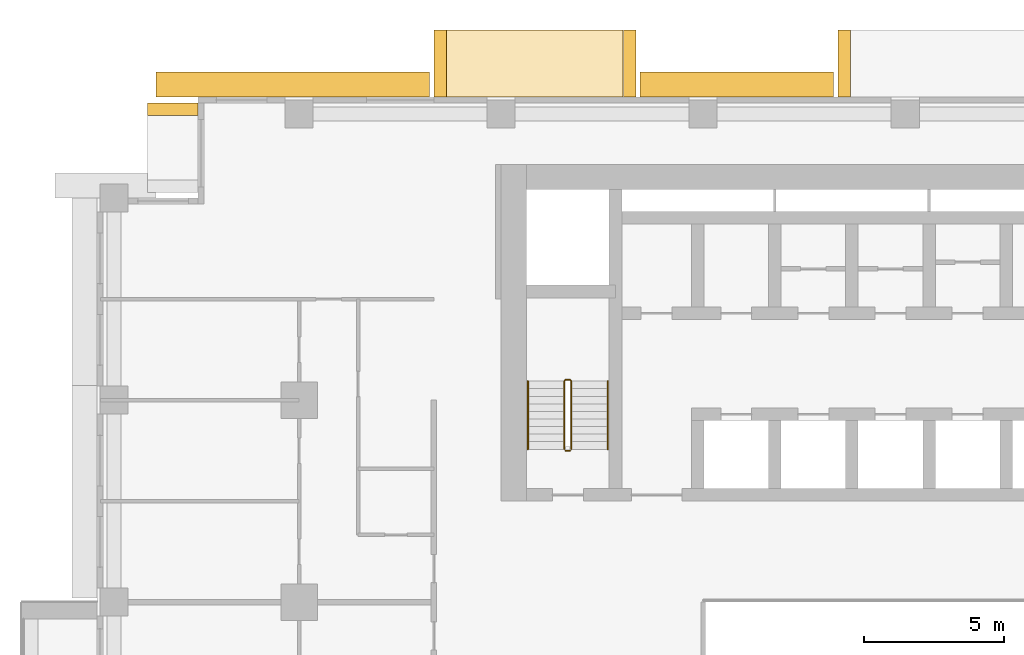
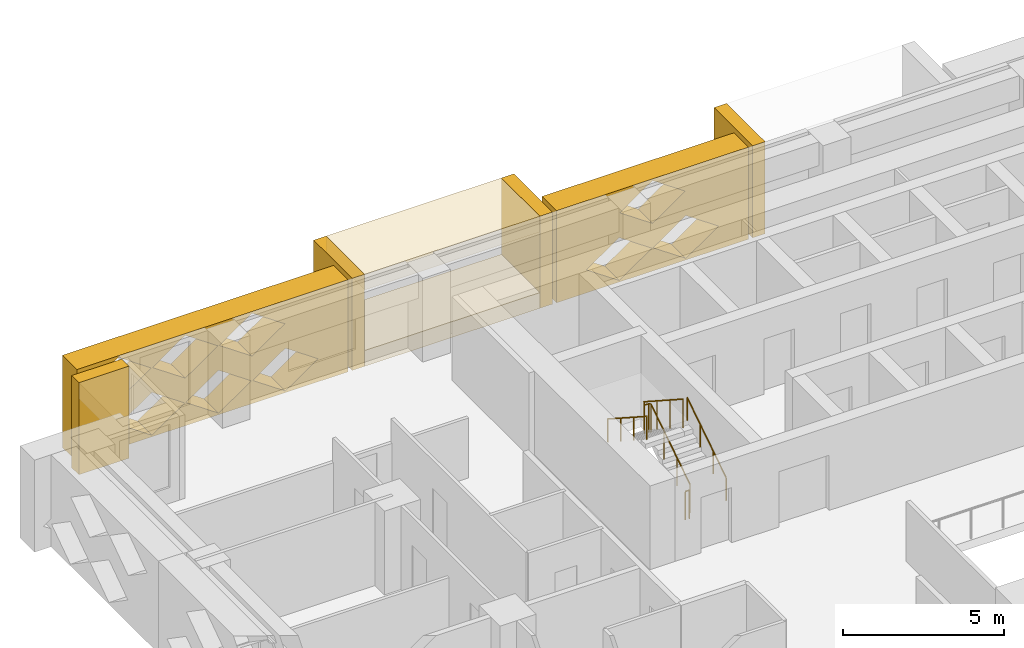
# One storey, part 14 of 16: 8 coverings, 4 railings.
"""IFC4 building model written with IfcOpenShell, lengths in metres."""

from ifc_helpers import new_model, si_unit, direction, frame, origin, origin_2d, place, context, subcontext, project, spatial, polyline, circle, outline, extrude, material, type_object, element, save


model = new_model("IFC4")

# Units and contexts
model_context = context("Model", 3, precision=1e-05, world=origin(), true_north=direction((0.0, 1.0)))
body_context = subcontext(model_context, "Body", "Model", "MODEL_VIEW")
ifc_project = project(units=[si_unit("LENGTHUNIT", "METRE"), si_unit("AREAUNIT", "SQUARE_METRE"), si_unit("VOLUMEUNIT", "CUBIC_METRE"), si_unit("PLANEANGLEUNIT", "RADIAN"), si_unit("MASSUNIT", "GRAM", prefix="KILO")], contexts=[model_context])

# Site, building, storey
site_placement = place(None, origin())
site = spatial("IfcSite", under=ifc_project, at=site_placement, CompositionType="ELEMENT")
building_placement = place(site_placement, origin())
building = spatial("IfcBuilding", under=site, at=building_placement, Name="Saffron Iwan Residences", CompositionType="ELEMENT")
storey_placement = place(building_placement, frame((0.0, 0.0, 69.0)))
storey = spatial("IfcBuildingStorey", under=building, at=storey_placement, Name="L17", CompositionType="ELEMENT", Elevation=69.0)

# Coverings
ifc_material_1 = material(Name="Precast concrete C40/50", Category="concrete")
covering_type_1 = type_object("IfcCoveringType", Name="OUTER SKIN LATTICE SCREEN", PredefinedType="CLADDING", material=ifc_material_1)
covering_1_placement = place(storey_placement, frame((40.64990234375, 80.39990234375, -0.320068359375), z_axis=(0.0, 1.0, 0.0), x_axis=(-1.0, 0.0, 0.0)))
element("IfcCovering", 1, at=covering_1_placement, inside=storey, type_object=covering_type_1, Name="OUTER SKIN lattice screen L17 F5.3", PredefinedType="CLADDING", context=body_context, shape_type="SweptSolid", body=[
    extrude(outline(polyline([(0.0, 0.0), (6.89990234375, 0.0), (6.89990234375, 3.5), (0.0, 3.5), (0.0, 0.0)]), holes=[polyline([(1.070068359375, 0.875), (2.25, 0.06005859375), (3.429931640625, 0.875), (2.25, 1.68994140625), (1.070068359375, 0.875)]), polyline([(3.469970703125, 0.875), (4.64990234375, 0.06005859375), (5.830078125, 0.875), (4.64990234375, 1.68994140625), (3.469970703125, 0.875)]), polyline([(2.27001953125, 2.625), (3.449951171875, 1.81005859375), (4.6298828125, 2.625), (3.449951171875, 3.43994140625), (2.27001953125, 2.625)])]), origin(), (0.0, 0.0, 1.0), 0.900146484375),
])
covering_2_placement = place(storey_placement, frame((26.25, 80.39990234375, -0.320068359375), z_axis=(0.0, 1.0, 0.0), x_axis=(-1.0, 0.0, 0.0)))
element("IfcCovering", 2, at=covering_2_placement, inside=storey, type_object=covering_type_1, Name="OUTER SKIN lattice screen L17 F5.4", PredefinedType="CLADDING", context=body_context, shape_type="SweptSolid", body=[
    extrude(outline(polyline([(0.0, 0.0), (9.75, 0.0), (9.75, 3.5), (0.0, 3.5), (0.0, 0.0)]), holes=[polyline([(1.070068359375, 0.875), (2.25, 0.06005859375), (3.429931640625, 0.875), (2.25, 1.68994140625), (1.070068359375, 0.875)]), polyline([(3.469970703125, 0.875), (4.64990234375, 0.06005859375), (5.830078125, 0.875), (4.64990234375, 1.68994140625), (3.469970703125, 0.875)]), polyline([(5.8701171875, 0.875), (7.050048828125, 0.06005859375), (8.22998046875, 0.875), (7.050048828125, 1.68994140625), (5.8701171875, 0.875)]), polyline([(2.27001953125, 2.625), (3.449951171875, 1.81005859375), (4.6298828125, 2.625), (3.449951171875, 3.43994140625), (2.27001953125, 2.625)]), polyline([(4.669921875, 2.625), (5.85009765625, 1.81005859375), (7.030029296875, 2.625), (5.85009765625, 3.43994140625), (4.669921875, 2.625)]), polyline([(7.070068359375, 2.625), (8.25, 1.81005859375), (9.429931640625, 2.625), (8.25, 3.43994140625), (7.070068359375, 2.625)])]), origin(), (0.0, 0.0, 1.0), 0.900146484375),
])

# Railings
ifc_material_2 = material(Name="Steel S355", Category="steel")
railing_type_1 = type_object("IfcRailingType", Name="Stair guard 1100", PredefinedType="GUARDRAIL", material=ifc_material_2)
railing_1_placement = place(storey_placement, frame((31.300048828125, 67.85009765625, 0.175048828125)))
element("IfcRailing", 3, at=railing_1_placement, inside=storey, type_object=railing_type_1, Name="L17 ST-W stair guard 1", PredefinedType="GUARDRAIL", context=body_context, shape_type="SweptSolid", body=[
    extrude(circle(Radius=0.02392578125, at=origin_2d()), frame((0.0, 0.0, 1.076171875), z_axis=(0.0, 0.839153699163, 0.543894354798), x_axis=(-1.0, 0.0, 0.0)), (0.0, 0.0, 1.0), 2.895751953125),
    extrude(circle(Radius=0.02392578125, at=origin_2d()), frame((0.0, 2.429931640625, 2.65087890625), z_axis=(-0.707106781187, 0.707106781187, 0.0), x_axis=(-0.707106781187, -0.707106781187, 0.0)), (0.0, 0.0, 1.0), 0.07080078125),
    extrude(circle(Radius=0.02392578125, at=origin_2d()), frame((-0.050048828125, 2.47998046875, 2.65087890625), z_axis=(-1.0, 0.0, 0.0), x_axis=(0.0, -1.0, 0.0)), (0.0, 0.0, 1.0), 0.14990234375),
    extrude(circle(Radius=0.02392578125, at=origin_2d()), frame((-0.199951171875, 2.47998046875, 2.65087890625), z_axis=(-0.265065253269, -0.265065253269, 0.927081885822), x_axis=(0.707106781187, -0.707106781187, 0.0)), (0.0, 0.0, 1.0), 0.188720703125),
    extrude(circle(Radius=0.02392578125, at=origin_2d()), frame((-0.25, 2.429931640625, 2.826171875), z_axis=(0.0, -0.839153699163, 0.543894354798), x_axis=(1.0, 0.0, 0.0)), (0.0, 0.0, 1.0), 2.895751953125),
    extrude(circle(Radius=0.02099609375, at=origin_2d()), origin(), (0.0, 0.0, 1.0), 1.052001953125),
    extrude(circle(Radius=0.02099609375, at=origin_2d()), frame((0.0, 0.81005859375, 0.52490234375)), (0.0, 0.0, 1.0), 1.052001953125),
    extrude(circle(Radius=0.02099609375, at=origin_2d()), frame((0.0, 1.619873046875, 1.050048828125)), (0.0, 0.0, 1.0), 1.052001953125),
    extrude(circle(Radius=0.02099609375, at=origin_2d()), frame((0.0, 2.429931640625, 1.574951171875)), (0.0, 0.0, 1.0), 1.052001953125),
    extrude(circle(Radius=0.02099609375, at=origin_2d()), frame((-0.050048828125, 2.47998046875, 1.574951171875)), (0.0, 0.0, 1.0), 1.052001953125),
    extrude(circle(Radius=0.02099609375, at=origin_2d()), frame((-0.199951171875, 2.47998046875, 1.574951171875)), (0.0, 0.0, 1.0), 1.052001953125),
    extrude(circle(Radius=0.02099609375, at=origin_2d()), frame((-0.25, 2.429931640625, 1.75)), (0.0, 0.0, 1.0), 1.052001953125),
    extrude(circle(Radius=0.02099609375, at=origin_2d()), frame((-0.25, 1.619873046875, 2.27490234375)), (0.0, 0.0, 1.0), 1.052001953125),
    extrude(circle(Radius=0.02099609375, at=origin_2d()), frame((-0.25, 0.81005859375, 2.800048828125)), (0.0, 0.0, 1.0), 1.052001953125),
    extrude(circle(Radius=0.02099609375, at=origin_2d()), frame((-0.25, 0.0, 3.324951171875)), (0.0, 0.0, 1.0), 1.052001953125),
])
railing_2_placement = place(storey_placement, frame((31.25, 67.800048828125, 0.0)))
element("IfcRailing", 4, at=railing_2_placement, inside=storey, type_object=railing_type_1, Name="L17 ST-W stair guard 2", PredefinedType="GUARDRAIL", context=body_context, shape_type="SweptSolid", body=[
    extrude(circle(Radius=0.02392578125, at=origin_2d()), frame((0.0, 0.0, 1.076171875), z_axis=(-1.0, 0.0, 0.0), x_axis=(0.0, -1.0, 0.0)), (0.0, 0.0, 1.0), 0.14990234375),
    extrude(circle(Radius=0.02099609375, at=origin_2d()), origin(), (0.0, 0.0, 1.0), 1.052001953125),
    extrude(circle(Radius=0.02099609375, at=origin_2d()), frame((-0.14990234375, 0.0, 0.0)), (0.0, 0.0, 1.0), 1.052001953125),
])
ifc_material_3 = material(Name="Stainless steel 316", Category="steel")
railing_type_2 = type_object("IfcRailingType", Name="Stair handrail 900", PredefinedType="HANDRAIL", material=ifc_material_3)
railing_3_placement = place(storey_placement, frame((32.60009765625, 67.85009765625, 0.175048828125)))
element("IfcRailing", 5, at=railing_3_placement, inside=storey, type_object=railing_type_2, Name="L17 ST-W stair handrail 1", PredefinedType="HANDRAIL", context=body_context, shape_type="SweptSolid", body=[
    extrude(circle(Radius=0.02392578125, at=origin_2d()), frame((0.0, 0.0, 0.8759765625), z_axis=(0.0, 0.839153699163, 0.543894354798), x_axis=(-1.0, 0.0, 0.0)), (0.0, 0.0, 1.0), 2.895751953125),
    extrude(circle(Radius=0.02099609375, at=origin_2d()), origin(), (0.0, 0.0, 1.0), 0.851806640625),
    extrude(circle(Radius=0.02099609375, at=origin_2d()), frame((0.0, 0.81005859375, 0.52490234375)), (0.0, 0.0, 1.0), 0.851806640625),
    extrude(circle(Radius=0.02099609375, at=origin_2d()), frame((0.0, 1.619873046875, 1.050048828125)), (0.0, 0.0, 1.0), 0.851806640625),
    extrude(circle(Radius=0.02099609375, at=origin_2d()), frame((0.0, 2.429931640625, 1.574951171875)), (0.0, 0.0, 1.0), 0.851806640625),
])
railing_4_placement = place(storey_placement, frame((29.75, 70.280029296875, 1.925048828125)))
element("IfcRailing", 6, at=railing_4_placement, inside=storey, type_object=railing_type_2, Name="L17 ST-W stair handrail 2", PredefinedType="HANDRAIL", context=body_context, shape_type="SweptSolid", body=[
    extrude(circle(Radius=0.02392578125, at=origin_2d()), frame((0.0, 0.0, 0.8759765625), z_axis=(0.0, -0.839153699163, 0.543894354798), x_axis=(1.0, 0.0, 0.0)), (0.0, 0.0, 1.0), 2.895751953125),
    extrude(circle(Radius=0.02099609375, at=origin_2d()), origin(), (0.0, 0.0, 1.0), 0.851806640625),
    extrude(circle(Radius=0.02099609375, at=origin_2d()), frame((0.0, -0.81005859375, 0.52490234375)), (0.0, 0.0, 1.0), 0.851806640625),
    extrude(circle(Radius=0.02099609375, at=origin_2d()), frame((0.0, -1.619873046875, 1.050048828125)), (0.0, 0.0, 1.0), 0.851806640625),
    extrude(circle(Radius=0.02099609375, at=origin_2d()), frame((0.0, -2.429931640625, 1.574951171875)), (0.0, 0.0, 1.0), 0.851806640625),
])

# Coverings
ifc_material_4 = material(Name="Precast concrete C40/50 white painted", Category="concrete")
covering_type_2 = type_object("IfcCoveringType", Name="WHITE SUN FRAME PRECAST", PredefinedType="CLADDING", material=ifc_material_4)
for number, where, z_axis, x_axis, name in (
    (7, (41.25, 80.39990234375, -0.320068359375), (0.0, 1.0, 0.0), (-1.0, 0.0, 0.0), "Sun frame L17 F5 34.8b"),
    (8, (33.60009765625, 80.39990234375, -0.320068359375), (0.0, 1.0, 0.0), (-1.0, 0.0, 0.0), "Sun frame L17 F5 49.2a"),
    (9, (26.85009765625, 80.39990234375, -0.320068359375), (0.0, 1.0, 0.0), (-1.0, 0.0, 0.0), "Sun frame L17 F5 49.2b"),
):
    element("IfcCovering", number, at=place(storey_placement, frame(where, z_axis=z_axis, x_axis=x_axis)), inside=storey, type_object=covering_type_2, Name=name, PredefinedType="CLADDING", context=body_context, shape_type="SweptSolid", body=[
        extrude(outline(polyline([(0.0, 0.0), (0.449951171875, 0.0), (0.449951171875, 3.5), (0.0, 3.5), (0.0, 0.0)])), origin(), (0.0, 0.0, 1.0), 2.400146484375),
    ])
for number, where, z_axis, x_axis, name in (
    (10, (33.14990234375, 80.39990234375, 2.580078125), (0.0, 1.0, 0.0), (-1.0, 0.0, 0.0), "Sun frame L17 F5 49.2h"),
    (11, (33.14990234375, 80.39990234375, -0.320068359375), (0.0, 1.0, 0.0), (-1.0, 0.0, 0.0), "Sun frame L17 F5 49.2s"),
):
    element("IfcCovering", number, at=place(storey_placement, frame(where, z_axis=z_axis, x_axis=x_axis)), inside=storey, type_object=covering_type_2, Name=name, PredefinedType="CLADDING", context=body_context, shape_type="SweptSolid", body=[
        extrude(outline(polyline([(0.0, 0.0), (6.300048828125, 0.0), (6.300048828125, 0.60009765625), (0.0, 0.60009765625), (0.0, 0.0)])), origin(), (0.0, 0.0, 1.0), 2.400146484375),
    ])
covering_3_placement = place(storey_placement, frame((18.0, 80.199951171875, -0.320068359375), z_axis=(-1.0, 0.0, 0.0), x_axis=(0.0, -1.0, 0.0)))
element("IfcCovering", 12, at=covering_3_placement, inside=storey, type_object=covering_type_2, Name="Sun frame L17 F6 0.2a", PredefinedType="CLADDING", context=body_context, shape_type="SweptSolid", body=[
    extrude(outline(polyline([(0.0, 0.0), (0.449951171875, 0.0), (0.449951171875, 3.5), (0.0, 3.5), (0.0, 0.0)])), origin(), (0.0, 0.0, 1.0), 1.800048828125),
])

save(model, "model.ifc")
